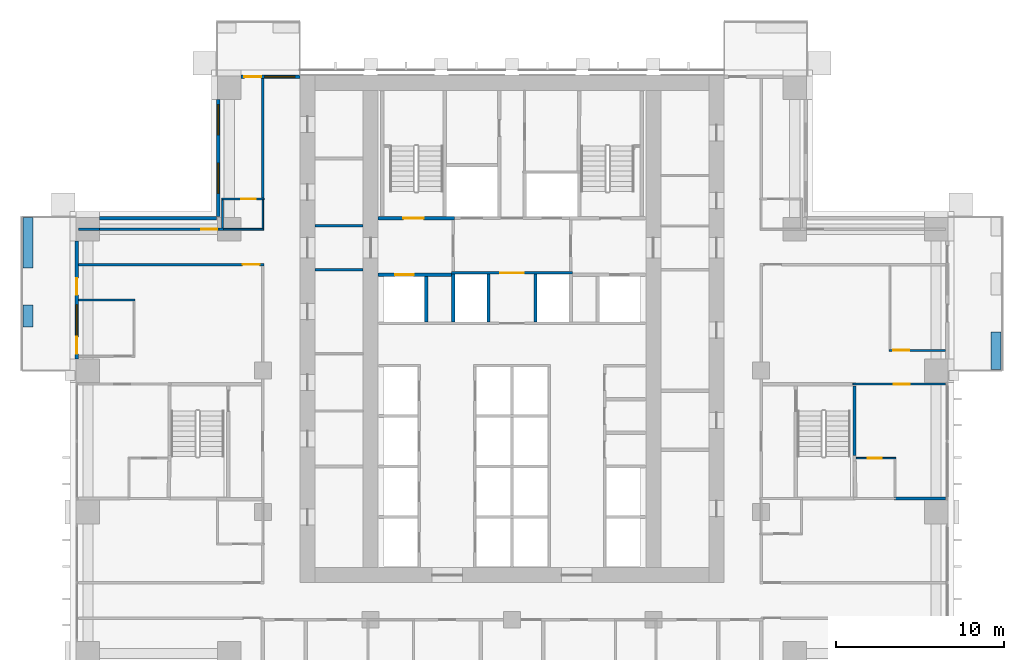
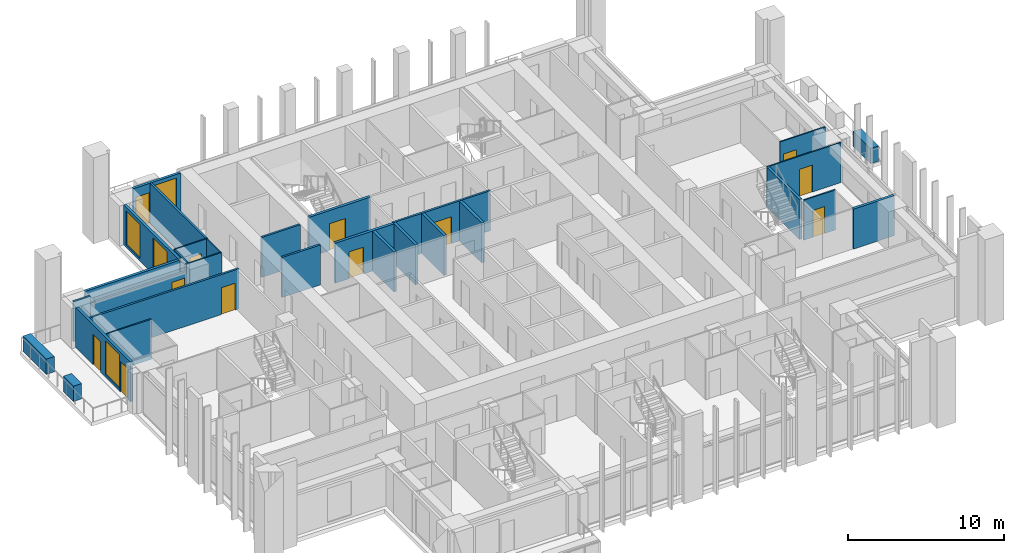
# One storey, part 10 of 17: 31 walls, 12 doors, 4 windows, 16 openings.
"""IFC4 building model written with IfcOpenShell, lengths in metres."""

from ifc_helpers import new_model, si_unit, direction, frame, frame_2d, origin, place, context, subcontext, project, spatial, rectangle, extrude, material, layer, layer_set, type_object, element, fill, save


model = new_model("IFC4")

# Units and contexts
model_context = context("Model", 3, precision=1e-05, world=origin(), true_north=direction((0.0, 1.0)))
body_context = subcontext(model_context, "Body", "Model", "MODEL_VIEW")
ifc_project = project(units=[si_unit("LENGTHUNIT", "METRE"), si_unit("AREAUNIT", "SQUARE_METRE"), si_unit("VOLUMEUNIT", "CUBIC_METRE"), si_unit("PLANEANGLEUNIT", "RADIAN"), si_unit("MASSUNIT", "GRAM", prefix="KILO")], contexts=[model_context])

# Site, building, storey
site_placement = place(None, origin())
site = spatial("IfcSite", under=ifc_project, at=site_placement, CompositionType="ELEMENT")
building_placement = place(site_placement, origin())
building = spatial("IfcBuilding", under=site, at=building_placement, Name="Vermilion Ogive Tower", CompositionType="ELEMENT")
storey_placement = place(building_placement, frame((0.0, 0.0, 69.0)))
storey = spatial("IfcBuildingStorey", under=building, at=storey_placement, Name="L16", CompositionType="ELEMENT", Elevation=69.0)

# Wall, opening, door
ifc_material_1 = material(Name="Gypsum board partition on steel studs", Category="steel")
ifc_layer_1 = layer(ifc_material_1, 0.10009765625)
ifc_layer_set_1 = layer_set([ifc_layer_1], Name="Partition 100 bath")
wall_type_1 = type_object("IfcWallType", Name="Partition 100 bath", PredefinedType="PARTITIONING", material=ifc_layer_set_1)
wall_1_placement = place(storey_placement, frame((20.449951171875, -1.0, 0.0), z_axis=(0.0, 0.0, 1.0), x_axis=(1.0, 0.0, 0.0)))
wall_1 = element("IfcWall", 1, at=wall_1_placement, inside=storey, type_object=wall_type_1, Name="L16-W-W034", PredefinedType="PARTITIONING", context=body_context, shape_type="SweptSolid", body=[
    extrude(rectangle(XDim=2.35009765625, YDim=0.10009765625, at=frame_2d((1.175048828125, 0.0))), origin(), (0.0, 0.0, 1.0), 3.1298828125),
])
opening_1_placement = place(wall_1_placement, frame((0.675048828125, 0.0, 0.0)))
opening_1 = element("IfcOpeningElement", 2, at=opening_1_placement, cuts=wall_1, Name="Opening D1G6022", PredefinedType="OPENING", context=body_context, shape_type="SweptSolid", body=[
    extrude(rectangle(XDim=0.85009765625, YDim=2.10009765625, at=frame_2d((0.425048828125, 1.050048828125))), frame((0.0, 0.06005859375, 0.0), z_axis=(0.0, -1.0, 0.0), x_axis=(1.0, 0.0, 0.0)), (0.0, 0.0, 1.0), 0.1201171875),
])
ifc_material_2 = material(Name="Timber door leaf", Category="wood")
door_type_1 = type_object("IfcDoorType", Name="Bath door 850 x 2100 FD30", OperationType="SINGLE_SWING_LEFT", PredefinedType="DOOR", material=ifc_material_2)
door_1_placement = place(opening_1_placement, origin())
door_1 = element("IfcDoor", 3, at=door_1_placement, inside=storey, type_object=door_type_1, Name="L16-D-D022", OperationType="SINGLE_SWING_RIGHT", OverallHeight=2.10009765625, OverallWidth=0.85009765625, PredefinedType="DOOR", context=body_context, shape_type="SweptSolid", body=[
    extrude(rectangle(XDim=0.85009765625, YDim=2.10009765625, at=frame_2d((0.425048828125, 1.050048828125))), frame((0.0, 0.02490234375, 0.0), z_axis=(0.0, -1.0, 0.0), x_axis=(1.0, 0.0, 0.0)), (0.0, 0.0, 1.0), 0.050048828125),
])
fill(opening_1, door_1)

# Wall
wall_2_placement = place(storey_placement, frame((-17.25, 12.60009765625, 0.0), z_axis=(0.0, 0.0, 1.0), x_axis=(1.0, 0.0, 0.0)))
element("IfcWall", 4, at=wall_2_placement, inside=storey, type_object=wall_type_1, Name="L16-W-W045", PredefinedType="PARTITIONING", context=body_context, shape_type="SweptSolid", body=[
    extrude(rectangle(XDim=2.5, YDim=0.10009765625, at=frame_2d((1.25, 0.0))), origin(), (0.0, 0.0, 1.0), 3.1298828125),
])

# Wall, opening, door
wall_3_placement = place(storey_placement, frame((-17.25, 14.39990234375, 0.0), z_axis=(0.0, 0.0, 1.0), x_axis=(1.0, 0.0, 0.0)))
wall_3 = element("IfcWall", 5, at=wall_3_placement, inside=storey, type_object=wall_type_1, Name="L16-W-W048", PredefinedType="PARTITIONING", context=body_context, shape_type="SweptSolid", body=[
    extrude(rectangle(XDim=2.52490234375, YDim=0.10009765625, at=frame_2d((1.262451171875, 0.0))), origin(), (0.0, 0.0, 1.0), 3.1298828125),
])
opening_2_placement = place(wall_3_placement, frame((1.175048828125, 0.0, 0.0)))
opening_2 = element("IfcOpeningElement", 6, at=opening_2_placement, cuts=wall_3, Name="Opening D1G6010", PredefinedType="OPENING", context=body_context, shape_type="SweptSolid", body=[
    extrude(rectangle(XDim=0.85009765625, YDim=2.10009765625, at=frame_2d((0.425048828125, 1.050048828125))), frame((0.0, 0.06005859375, 0.0), z_axis=(0.0, -1.0, 0.0), x_axis=(1.0, 0.0, 0.0)), (0.0, 0.0, 1.0), 0.1201171875),
])
door_2_placement = place(opening_2_placement, origin())
door_2 = element("IfcDoor", 7, at=door_2_placement, inside=storey, type_object=door_type_1, Name="L16-D-D010", OperationType="SINGLE_SWING_RIGHT", OverallHeight=2.10009765625, OverallWidth=0.85009765625, PredefinedType="DOOR", context=body_context, shape_type="SweptSolid", body=[
    extrude(rectangle(XDim=0.85009765625, YDim=2.10009765625, at=frame_2d((0.425048828125, 1.050048828125))), frame((0.0, 0.02490234375, 0.0), z_axis=(0.0, -1.0, 0.0), x_axis=(1.0, 0.0, 0.0)), (0.0, 0.0, 1.0), 0.050048828125),
])
fill(opening_2, door_2)

# Walls
wall_4_placement = place(storey_placement, frame((-17.199951171875, 12.675048828125, 0.0), z_axis=(0.0, 0.0, 1.0), x_axis=(0.0, 1.0, 0.0)))
element("IfcWall", 8, at=wall_4_placement, inside=storey, type_object=wall_type_1, Name="L16-W-W056", PredefinedType="PARTITIONING", context=body_context, shape_type="SweptSolid", body=[
    extrude(rectangle(XDim=1.675048828125, YDim=0.10009765625, at=frame_2d((0.83740234375, 0.0))), origin(), (0.0, 0.0, 1.0), 3.1298828125),
])
wall_5_placement = place(storey_placement, frame((-14.800048828125, 12.64990234375, 0.0), z_axis=(0.0, 0.0, 1.0), x_axis=(0.0, 1.0, 0.0)))
element("IfcWall", 9, at=wall_5_placement, inside=storey, type_object=wall_type_1, Name="L16-W-W063", PredefinedType="PARTITIONING", context=body_context, shape_type="SweptSolid", body=[
    extrude(rectangle(XDim=1.7001953125, YDim=0.10009765625, at=frame_2d((0.85009765625, 0.0))), origin(), (0.0, 0.0, 1.0), 3.1298828125),
])

# Wall, opening, door
ifc_material_3 = material(Name="Gypsum board partition on steel studs", Category="steel")
ifc_layer_2 = layer(ifc_material_3, 0.10009765625)
ifc_layer_set_2 = layer_set([ifc_layer_2], Name="Partition 100 inner")
wall_type_2 = type_object("IfcWallType", Name="Partition 100 inner", PredefinedType="PARTITIONING", material=ifc_layer_set_2)
wall_6_placement = place(storey_placement, frame((20.25, 3.39990234375, 0.0), z_axis=(0.0, 0.0, 1.0), x_axis=(1.0, 0.0, 0.0)))
wall_6 = element("IfcWall", 10, at=wall_6_placement, inside=storey, type_object=wall_type_2, Name="L16-W-W038", PredefinedType="PARTITIONING", context=body_context, shape_type="SweptSolid", body=[
    extrude(rectangle(XDim=5.5, YDim=0.10009765625, at=frame_2d((2.75, 0.0))), origin(), (0.0, 0.0, 1.0), 3.1298828125),
])
opening_3_placement = place(wall_6_placement, frame((2.425048828125, 0.0, 0.0)))
opening_3 = element("IfcOpeningElement", 11, at=opening_3_placement, cuts=wall_6, Name="Opening D1G6021", PredefinedType="OPENING", context=body_context, shape_type="SweptSolid", body=[
    extrude(rectangle(XDim=0.949951171875, YDim=2.10009765625, at=frame_2d((0.47509765625, 1.050048828125))), frame((0.0, 0.06005859375, 0.0), z_axis=(0.0, -1.0, 0.0), x_axis=(1.0, 0.0, 0.0)), (0.0, 0.0, 1.0), 0.1201171875),
])
ifc_material_4 = material(Name="Timber door leaf", Category="wood")
door_type_2 = type_object("IfcDoorType", Name="Inner door 950 x 2100 FD30", OperationType="SINGLE_SWING_LEFT", PredefinedType="DOOR", material=ifc_material_4)
door_3_placement = place(opening_3_placement, origin())
door_3 = element("IfcDoor", 12, at=door_3_placement, inside=storey, type_object=door_type_2, Name="L16-D-D021", OperationType="SINGLE_SWING_LEFT", OverallHeight=2.10009765625, OverallWidth=0.949951171875, PredefinedType="DOOR", context=body_context, shape_type="SweptSolid", body=[
    extrude(rectangle(XDim=0.949951171875, YDim=2.10009765625, at=frame_2d((0.47509765625, 1.050048828125))), frame((0.0, 0.02490234375, 0.0), z_axis=(0.0, -1.0, 0.0), x_axis=(1.0, 0.0, 0.0)), (0.0, 0.0, 1.0), 0.050048828125),
])
fill(opening_3, door_3)

wall_7_placement = place(storey_placement, frame((22.39990234375, 5.39990234375, 0.0), z_axis=(0.0, 0.0, 1.0), x_axis=(1.0, 0.0, 0.0)))
wall_7 = element("IfcWall", 13, at=wall_7_placement, inside=storey, type_object=wall_type_2, Name="L16-W-W040", PredefinedType="PARTITIONING", context=body_context, shape_type="SweptSolid", body=[
    extrude(rectangle(XDim=3.35009765625, YDim=0.10009765625, at=frame_2d((1.675048828125, 0.0))), origin(), (0.0, 0.0, 1.0), 3.1298828125),
])
opening_4_placement = place(wall_7_placement, frame((0.25, 0.0, 0.0)))
opening_4 = element("IfcOpeningElement", 14, at=opening_4_placement, cuts=wall_7, Name="Opening D1G6019", PredefinedType="OPENING", context=body_context, shape_type="SweptSolid", body=[
    extrude(rectangle(XDim=0.949951171875, YDim=2.10009765625, at=frame_2d((0.47509765625, 1.050048828125))), frame((0.0, 0.06005859375, 0.0), z_axis=(0.0, -1.0, 0.0), x_axis=(1.0, 0.0, 0.0)), (0.0, 0.0, 1.0), 0.1201171875),
])
door_4_placement = place(opening_4_placement, origin())
door_4 = element("IfcDoor", 15, at=door_4_placement, inside=storey, type_object=door_type_2, Name="L16-D-D019", OperationType="SINGLE_SWING_LEFT", OverallHeight=2.10009765625, OverallWidth=0.949951171875, PredefinedType="DOOR", context=body_context, shape_type="SweptSolid", body=[
    extrude(rectangle(XDim=0.949951171875, YDim=2.10009765625, at=frame_2d((0.47509765625, 1.050048828125))), frame((0.0, 0.02490234375, 0.0), z_axis=(0.0, -1.0, 0.0), x_axis=(1.0, 0.0, 0.0)), (0.0, 0.0, 1.0), 0.050048828125),
])
fill(opening_4, door_4)

# Wall
wall_8_placement = place(storey_placement, frame((-25.75, 8.39990234375, 0.0), z_axis=(0.0, 0.0, 1.0), x_axis=(1.0, 0.0, 0.0)))
element("IfcWall", 16, at=wall_8_placement, inside=storey, type_object=wall_type_2, Name="L16-W-W041", PredefinedType="PARTITIONING", context=body_context, shape_type="SweptSolid", body=[
    extrude(rectangle(XDim=3.35009765625, YDim=0.10009765625, at=frame_2d((1.675048828125, 0.0))), origin(), (0.0, 0.0, 1.0), 3.1298828125),
])

# Wall, opening, door
ifc_material_5 = material(Name="Gypsum board partition on steel studs", Category="steel")
ifc_layer_3 = layer(ifc_material_5, 0.14990234375)
ifc_layer_set_3 = layer_set([ifc_layer_3], Name="Partition 150 corridor")
wall_type_3 = type_object("IfcWallType", Name="Partition 150 corridor", PredefinedType="PARTITIONING", material=ifc_layer_set_3)
wall_9_placement = place(storey_placement, frame((-25.75, 10.5, 0.0), z_axis=(0.0, 0.0, 1.0), x_axis=(1.0, 0.0, 0.0)))
wall_9 = element("IfcWall", 17, at=wall_9_placement, inside=storey, type_object=wall_type_3, Name="L16-W-W042", PredefinedType="PARTITIONING", context=body_context, shape_type="SweptSolid", body=[
    extrude(rectangle(XDim=11.02490234375, YDim=0.14990234375, at=frame_2d((5.512451171875, 0.0))), origin(), (0.0, 0.0, 1.0), 3.1298828125),
])
opening_5_placement = place(wall_9_placement, frame((9.75, 0.0, 0.0)))
opening_5 = element("IfcOpeningElement", 18, at=opening_5_placement, cuts=wall_9, Name="Opening D1G6006", PredefinedType="OPENING", context=body_context, shape_type="SweptSolid", body=[
    extrude(rectangle(XDim=1.0, YDim=2.10009765625, at=frame_2d((0.5, 1.050048828125))), frame((0.0, 0.0849609375, 0.0), z_axis=(0.0, -1.0, 0.0), x_axis=(1.0, 0.0, 0.0)), (0.0, 0.0, 1.0), 0.169921875),
])
ifc_material_6 = material(Name="Timber door leaf", Category="wood")
door_type_3 = type_object("IfcDoorType", Name="Unit door 1000 x 2100 FD30S", OperationType="SINGLE_SWING_LEFT", PredefinedType="DOOR", material=ifc_material_6)
door_5_placement = place(opening_5_placement, origin())
door_5 = element("IfcDoor", 19, at=door_5_placement, inside=storey, type_object=door_type_3, Name="L16-D-D006", OperationType="SINGLE_SWING_RIGHT", OverallHeight=2.10009765625, OverallWidth=1.0, PredefinedType="DOOR", context=body_context, shape_type="SweptSolid", body=[
    extrude(rectangle(XDim=1.0, YDim=2.10009765625, at=frame_2d((0.5, 1.050048828125))), frame((0.0, 0.02490234375, 0.0), z_axis=(0.0, -1.0, 0.0), x_axis=(1.0, 0.0, 0.0)), (0.0, 0.0, 1.0), 0.050048828125),
])
fill(opening_5, door_5)

# Walls
wall_10_placement = place(storey_placement, frame((-25.75, 12.60009765625, 0.0), z_axis=(0.0, 0.0, 1.0), x_axis=(1.0, 0.0, 0.0)))
element("IfcWall", 20, at=wall_10_placement, inside=storey, type_object=wall_type_3, Name="L16-W-W044", PredefinedType="PARTITIONING", context=body_context, shape_type="SweptSolid", body=[
    extrude(rectangle(XDim=1.25, YDim=0.14990234375, at=frame_2d((0.625, 0.0))), origin(), (0.0, 0.0, 1.0), 3.1298828125),
])
wall_11_placement = place(storey_placement, frame((-14.800048828125, 14.449951171875, 0.0), z_axis=(0.0, 0.0, 1.0), x_axis=(0.0, 1.0, 0.0)))
element("IfcWall", 21, at=wall_11_placement, inside=storey, type_object=wall_type_3, Name="L16-W-W064", PredefinedType="PARTITIONING", context=body_context, shape_type="SweptSolid", body=[
    extrude(rectangle(XDim=7.10009765625, YDim=0.14990234375, at=frame_2d((3.550048828125, 0.0))), origin(), (0.0, 0.0, 1.0), 3.1298828125),
])

# Wall, opening, door
wall_12_placement = place(storey_placement, frame((-3.60009765625, 10.0, 0.0), z_axis=(0.0, 0.0, 1.0), x_axis=(1.0, 0.0, 0.0)))
wall_12 = element("IfcWall", 22, at=wall_12_placement, inside=storey, type_object=wall_type_3, Name="L16-CK-W-W017", PredefinedType="PARTITIONING", context=body_context, shape_type="SweptSolid", body=[
    extrude(rectangle(XDim=7.2001953125, YDim=0.14990234375, at=frame_2d((3.60009765625, 0.0))), origin(), (0.0, 0.0, 1.0), 3.1298828125),
])
opening_6_placement = place(wall_12_placement, frame((2.900146484375, 0.0, 0.0)))
opening_6 = element("IfcOpeningElement", 23, at=opening_6_placement, cuts=wall_12, Name="Opening DAA117", PredefinedType="OPENING", context=body_context, shape_type="SweptSolid", body=[
    extrude(rectangle(XDim=1.39990234375, YDim=2.10009765625, at=frame_2d((0.699951171875, 1.050048828125))), frame((0.0, 0.0849609375, 0.0), z_axis=(0.0, -1.0, 0.0), x_axis=(1.0, 0.0, 0.0)), (0.0, 0.0, 1.0), 0.169921875),
])
ifc_material_7 = material(Name="Timber door leaf", Category="wood")
door_type_4 = type_object("IfcDoorType", Name="Lobby door 1400 x 2100 FD60S", OperationType="SINGLE_SWING_LEFT", PredefinedType="DOOR", material=ifc_material_7)
door_6_placement = place(opening_6_placement, origin())
door_6 = element("IfcDoor", 24, at=door_6_placement, inside=storey, type_object=door_type_4, Name="L16-CK-D-D017", OperationType="SINGLE_SWING_RIGHT", OverallHeight=2.10009765625, OverallWidth=1.39990234375, PredefinedType="DOOR", context=body_context, shape_type="SweptSolid", body=[
    extrude(rectangle(XDim=1.39990234375, YDim=2.10009765625, at=frame_2d((0.699951171875, 1.050048828125))), frame((0.0, 0.02490234375, 0.0), z_axis=(0.0, -1.0, 0.0), x_axis=(1.0, 0.0, 0.0)), (0.0, 0.0, 1.0), 0.050048828125),
])
fill(opening_6, door_6)

# Walls
for number, where, z_axis, x_axis, name in (
    (25, (-11.698974609375, 10.199951171875, 0.0), (0.0, 0.0, 1.0), (1.0, 0.0, 0.0), "L16-CKW-W-W004"),
    (26, (-11.698974609375, 12.800048828125, 0.0), (0.0, 0.0, 1.0), (1.0, 0.0, 0.0), "L16-CKW-W-W005"),
):
    element("IfcWall", number, at=place(storey_placement, frame(where, z_axis=z_axis, x_axis=x_axis)), inside=storey, type_object=wall_type_3, Name=name, PredefinedType="PARTITIONING", context=body_context, shape_type="SweptSolid", body=[
        extrude(rectangle(XDim=2.847900390625, YDim=0.14990234375, at=frame_2d((1.423828125, 0.0))), origin(), (0.0, 0.0, 1.0), 3.1298828125),
    ])

# Wall, opening, door
wall_13_placement = place(storey_placement, frame((-24.5, 12.60009765625, 0.0), z_axis=(0.0, 0.0, 1.0), x_axis=(1.0, 0.0, 0.0)))
wall_13 = element("IfcWall", 27, at=wall_13_placement, inside=storey, type_object=wall_type_3, Name="L16-W-W044-h1", PredefinedType="PARTITIONING", context=body_context, shape_type="SweptSolid", body=[
    extrude(rectangle(XDim=7.099853515625, YDim=0.14990234375, at=frame_2d((3.5498046875, 0.0))), origin(), (0.0, 0.0, 1.0), 2.580078125),
])
opening_7_placement = place(wall_13_placement, frame((6.0498046875, 0.0, 0.0)))
opening_7 = element("IfcOpeningElement", 28, at=opening_7_placement, cuts=wall_13, Name="Opening D1G6009", PredefinedType="OPENING", context=body_context, shape_type="SweptSolid", body=[
    extrude(rectangle(XDim=0.949951171875, YDim=2.10009765625, at=frame_2d((0.47509765625, 1.050048828125))), frame((0.0, 0.0849609375, 0.0), z_axis=(0.0, -1.0, 0.0), x_axis=(1.0, 0.0, 0.0)), (0.0, 0.0, 1.0), 0.169921875),
])
ifc_material_8 = material(Name="Timber door leaf", Category="wood")
door_type_5 = type_object("IfcDoorType", Name="Unit door 950 x 2100 FD30S", OperationType="SINGLE_SWING_LEFT", PredefinedType="DOOR", material=ifc_material_8)
door_7_placement = place(opening_7_placement, origin())
door_7 = element("IfcDoor", 29, at=door_7_placement, inside=storey, type_object=door_type_5, Name="L16-D-D009", OperationType="SINGLE_SWING_LEFT", OverallHeight=2.10009765625, OverallWidth=0.949951171875, PredefinedType="DOOR", context=body_context, shape_type="SweptSolid", body=[
    extrude(rectangle(XDim=0.949951171875, YDim=2.10009765625, at=frame_2d((0.47509765625, 1.050048828125))), frame((0.0, 0.02490234375, 0.0), z_axis=(0.0, -1.0, 0.0), x_axis=(1.0, 0.0, 0.0)), (0.0, 0.0, 1.0), 0.050048828125),
])
fill(opening_7, door_7)

# Walls
wall_14_placement = place(storey_placement, frame((-17.400146484375, 12.60009765625, 0.0), z_axis=(0.0, 0.0, 1.0), x_axis=(1.0, 0.0, 0.0)))
element("IfcWall", 30, at=wall_14_placement, inside=storey, type_object=wall_type_3, Name="L16-W-W044-h2", PredefinedType="PARTITIONING", context=body_context, shape_type="SweptSolid", body=[
    extrude(rectangle(XDim=0.250244140625, YDim=0.14990234375, at=frame_2d((0.125, 0.0))), origin(), (0.0, 0.0, 1.0), 3.1298828125),
])
ifc_material_9 = material(Name="Gypsum board partition on steel studs", Category="steel")
ifc_layer_4 = layer(ifc_material_9, 0.199951171875)
ifc_layer_set_4 = layer_set([ifc_layer_4], Name="Partition 200 party")
wall_type_4 = type_object("IfcWallType", Name="Partition 200 party", PredefinedType="PARTITIONING", material=ifc_layer_set_4)
wall_15_placement = place(storey_placement, frame((22.699951171875, -3.39990234375, 0.0), z_axis=(0.0, 0.0, 1.0), x_axis=(1.0, 0.0, 0.0)))
element("IfcWall", 31, at=wall_15_placement, inside=storey, type_object=wall_type_4, Name="L16-W-W032", PredefinedType="PARTITIONING", context=body_context, shape_type="SweptSolid", body=[
    extrude(rectangle(XDim=3.050048828125, YDim=0.199951171875, at=frame_2d((1.52490234375, 0.0))), origin(), (0.0, 0.0, 1.0), 3.1298828125),
])

# Wall, opening, door
wall_16_placement = place(storey_placement, frame((-7.948974609375, 9.89990234375, 0.0), z_axis=(0.0, 0.0, 1.0), x_axis=(1.0, 0.0, 0.0)))
wall_16 = element("IfcWall", 32, at=wall_16_placement, inside=storey, type_object=wall_type_4, Name="L16-CK-W-W015", PredefinedType="PARTITIONING", context=body_context, shape_type="SweptSolid", body=[
    extrude(rectangle(XDim=4.348876953125, YDim=0.199951171875, at=frame_2d((2.17431640625, 0.0))), origin(), (0.0, 0.0, 1.0), 3.1298828125),
])
opening_8_placement = place(wall_16_placement, frame((0.9990234375, 0.0, 0.0)))
opening_8 = element("IfcOpeningElement", 33, at=opening_8_placement, cuts=wall_16, Name="Opening DAA136", PredefinedType="OPENING", context=body_context, shape_type="SweptSolid", body=[
    extrude(rectangle(XDim=1.10009765625, YDim=2.10009765625, at=frame_2d((0.550048828125, 1.050048828125))), frame((0.0, 0.10986328125, 0.0), z_axis=(0.0, -1.0, 0.0), x_axis=(1.0, 0.0, 0.0)), (0.0, 0.0, 1.0), 0.219970703125),
])
ifc_material_10 = material(Name="Stainless steel", Category="steel")
door_type_6 = type_object("IfcDoorType", Name="Lift landing door 1100 x 2100", OperationType="SLIDING_TO_LEFT", PredefinedType="DOOR", material=ifc_material_10)
door_8_placement = place(opening_8_placement, origin())
door_8 = element("IfcDoor", 34, at=door_8_placement, inside=storey, type_object=door_type_6, Name="L16-CK-D-D013", OperationType="SLIDING_TO_RIGHT", OverallHeight=2.10009765625, OverallWidth=1.10009765625, PredefinedType="DOOR", context=body_context, shape_type="SweptSolid", body=[
    extrude(rectangle(XDim=1.10009765625, YDim=2.10009765625, at=frame_2d((0.550048828125, 1.050048828125))), frame((0.0, 0.02490234375, 0.0), z_axis=(0.0, -1.0, 0.0), x_axis=(1.0, 0.0, 0.0)), (0.0, 0.0, 1.0), 0.050048828125),
])
fill(opening_8, door_8)

# Walls
wall_17_placement = place(storey_placement, frame((-5.10009765625, 7.074951171875, 0.0), z_axis=(0.0, 0.0, 1.0), x_axis=(0.0, 1.0, 0.0)))
element("IfcWall", 35, at=wall_17_placement, inside=storey, type_object=wall_type_4, Name="L16-CK-W-W024", PredefinedType="PARTITIONING", context=body_context, shape_type="SweptSolid", body=[
    extrude(rectangle(XDim=2.72509765625, YDim=0.199951171875, at=frame_2d((1.362548828125, 0.0))), origin(), (0.0, 0.0, 1.0), 3.1298828125),
])
for number, where, z_axis, x_axis, name in (
    (36, (-3.5, 7.074951171875, 0.0), (0.0, 0.0, 1.0), (0.0, 1.0, 0.0), "L16-CK-W-W026"),
    (37, (-1.39990234375, 7.074951171875, 0.0), (0.0, 0.0, 1.0), (0.0, 1.0, 0.0), "L16-CK-W-W029"),
    (38, (1.39990234375, 7.074951171875, 0.0), (0.0, 0.0, 1.0), (0.0, 1.0, 0.0), "L16-CK-W-W034"),
):
    element("IfcWall", number, at=place(storey_placement, frame(where, z_axis=z_axis, x_axis=x_axis)), inside=storey, type_object=wall_type_4, Name=name, PredefinedType="PARTITIONING", context=body_context, shape_type="SweptSolid", body=[
        extrude(rectangle(XDim=2.85009765625, YDim=0.199951171875, at=frame_2d((1.425048828125, 0.0))), origin(), (0.0, 0.0, 1.0), 3.1298828125),
    ])
ifc_material_11 = material(Name="Concrete B60", Category="concrete")
ifc_layer_5 = layer(ifc_material_11, 0.199951171875)
ifc_layer_set_5 = layer_set([ifc_layer_5], Name="Stair shaft wall 200 Concrete B60")
wall_type_5 = type_object("IfcWallType", Name="Stair shaft wall 200 Concrete B60", PredefinedType="SOLIDWALL", material=ifc_layer_set_5)
wall_18_placement = place(storey_placement, frame((20.35009765625, -0.830078125, 0.0), z_axis=(0.0, 0.0, 1.0), x_axis=(0.0, 1.0, 0.0)))
element("IfcWall", 39, at=wall_18_placement, inside=storey, type_object=wall_type_5, Name="L16-W-W093", PredefinedType="SOLIDWALL", context=body_context, shape_type="SweptSolid", body=[
    extrude(rectangle(XDim=4.130126953125, YDim=0.199951171875, at=frame_2d((2.06494140625, 0.0))), origin(), (0.0, 0.0, 1.0), 3.1298828125),
])

# Wall, opening, door
wall_19_placement = place(storey_placement, frame((-7.948974609375, 13.25, 0.0), z_axis=(0.0, 0.0, 1.0), x_axis=(1.0, 0.0, 0.0)))
wall_19 = element("IfcWall", 40, at=wall_19_placement, inside=storey, type_object=wall_type_5, Name="L16-CK-W-W018", PredefinedType="SOLIDWALL", context=body_context, shape_type="SweptSolid", body=[
    extrude(rectangle(XDim=4.52392578125, YDim=0.199951171875, at=frame_2d((2.261962890625, 0.0))), origin(), (0.0, 0.0, 1.0), 3.1298828125),
])
opening_9_placement = place(wall_19_placement, frame((1.4990234375, 0.0, 0.0)))
opening_9 = element("IfcOpeningElement", 41, at=opening_9_placement, cuts=wall_19, Name="Opening DAA124", PredefinedType="OPENING", context=body_context, shape_type="SweptSolid", body=[
    extrude(rectangle(XDim=1.199951171875, YDim=2.10009765625, at=frame_2d((0.60009765625, 1.050048828125))), frame((0.0, 0.10986328125, 0.0), z_axis=(0.0, -1.0, 0.0), x_axis=(1.0, 0.0, 0.0)), (0.0, 0.0, 1.0), 0.219970703125),
])
ifc_material_12 = material(Name="Timber door leaf", Category="wood")
door_type_7 = type_object("IfcDoorType", Name="Stair door 1200 x 2100 FD60S", OperationType="SINGLE_SWING_LEFT", PredefinedType="DOOR", material=ifc_material_12)
door_9_placement = place(opening_9_placement, origin())
door_9 = element("IfcDoor", 42, at=door_9_placement, inside=storey, type_object=door_type_7, Name="L16-CK-D-D012", OperationType="SINGLE_SWING_LEFT", OverallHeight=2.10009765625, OverallWidth=1.199951171875, PredefinedType="DOOR", context=body_context, shape_type="SweptSolid", body=[
    extrude(rectangle(XDim=1.199951171875, YDim=2.10009765625, at=frame_2d((0.60009765625, 1.050048828125))), frame((0.0, 0.02490234375, 0.0), z_axis=(0.0, -1.0, 0.0), x_axis=(1.0, 0.0, 0.0)), (0.0, 0.0, 1.0), 0.050048828125),
])
fill(opening_9, door_9)

# Walls
ifc_material_13 = material(Name="Concrete B40", Category="concrete")
ifc_layer_6 = layer(ifc_material_13, 0.60009765625)
ifc_layer_set_6 = layer_set([ifc_layer_6], Name="Structural planter")
wall_type_6 = type_object("IfcWallType", Name="Structural planter", PredefinedType="USERDEFINED", material=ifc_layer_set_6)
wall_20_placement = place(storey_placement, frame((28.75, 4.260009765625, -0.0400390625), z_axis=(0.0, 0.0, 1.0), x_axis=(0.0, 1.0, 0.0)))
element("IfcWall", 43, at=wall_20_placement, inside=storey, type_object=wall_type_6, Name="Planter E03A1", ObjectType="PLANTER", PredefinedType="USERDEFINED", context=body_context, shape_type="SweptSolid", body=[
    extrude(rectangle(XDim=2.239990234375, YDim=0.60009765625, at=frame_2d((1.1201171875, 0.0))), origin(), (0.0, 0.0, 1.0), 1.199951171875),
])
wall_21_placement = place(storey_placement, frame((-28.75, 13.2900390625, -0.0400390625), z_axis=(0.0, 0.0, 1.0), x_axis=(0.0, -1.0, 0.0)))
element("IfcWall", 44, at=wall_21_placement, inside=storey, type_object=wall_type_6, Name="Planter W01A1", ObjectType="PLANTER", PredefinedType="USERDEFINED", context=body_context, shape_type="SweptSolid", body=[
    extrude(rectangle(XDim=2.989990234375, YDim=0.60009765625, at=frame_2d((1.4951171875, 0.0))), origin(), (0.0, 0.0, 1.0), 1.199951171875),
])
wall_22_placement = place(storey_placement, frame((-28.75, 8.10009765625, -0.0400390625), z_axis=(0.0, 0.0, 1.0), x_axis=(0.0, -1.0, 0.0)))
element("IfcWall", 45, at=wall_22_placement, inside=storey, type_object=wall_type_6, Name="Planter W01A2", ObjectType="PLANTER", PredefinedType="USERDEFINED", context=body_context, shape_type="SweptSolid", body=[
    extrude(rectangle(XDim=1.300048828125, YDim=0.60009765625, at=frame_2d((0.64990234375, 0.0))), origin(), (0.0, 0.0, 1.0), 1.199951171875),
])

# Wall, openings, door, window
ifc_material_14 = material(Name="Aluminium window wall framing", Category="aluminium")
ifc_layer_7 = layer(ifc_material_14, 0.199951171875)
ifc_layer_set_7 = layer_set([ifc_layer_7], Name="Window wall")
wall_type_7 = type_object("IfcWallType", Name="Window wall", PredefinedType="STANDARD", material=ifc_layer_set_7)
wall_23_placement = place(storey_placement, frame((-12.60009765625, 21.64990234375, 0.0), z_axis=(0.0, 0.0, 1.0), x_axis=(-1.0, 0.0, 0.0)))
wall_23 = element("IfcWall", 46, at=wall_23_placement, inside=storey, type_object=wall_type_7, Name="Window wall N21", PredefinedType="STANDARD", context=body_context, shape_type="SweptSolid", body=[
    extrude(rectangle(XDim=3.5, YDim=0.199951171875, at=frame_2d((1.75, 0.0))), origin(), (0.0, 0.0, 1.0), 3.1298828125),
])
opening_10_placement = place(wall_23_placement, frame((0.300048828125, 0.0, 0.199951171875)))
opening_10 = element("IfcOpeningElement", 47, at=opening_10_placement, cuts=wall_23, Name="Opening W1-N296", PredefinedType="OPENING", context=body_context, shape_type="SweptSolid", body=[
    extrude(rectangle(XDim=1.800048828125, YDim=2.64990234375, at=frame_2d((0.89990234375, 1.324951171875))), frame((0.0, 0.10986328125, 0.0), z_axis=(0.0, -1.0, 0.0), x_axis=(1.0, 0.0, 0.0)), (0.0, 0.0, 1.0), 0.219970703125),
])
opening_11_placement = place(wall_23_placement, frame((2.300048828125, 0.0, 0.0)))
opening_11 = element("IfcOpeningElement", 48, at=opening_11_placement, cuts=wall_23, Name="Opening D1-N296", PredefinedType="OPENING", context=body_context, shape_type="SweptSolid", body=[
    extrude(rectangle(XDim=1.0, YDim=2.39990234375, at=frame_2d((0.5, 1.199951171875))), frame((0.0, 0.10986328125, 0.0), z_axis=(0.0, -1.0, 0.0), x_axis=(1.0, 0.0, 0.0)), (0.0, 0.0, 1.0), 0.219970703125),
])
ifc_material_15 = material(Name="Aluminium framed glazed door", Category="aluminium")
door_type_8 = type_object("IfcDoorType", Name="Balcony door D1", OperationType="SINGLE_SWING_LEFT", PredefinedType="DOOR", material=ifc_material_15)
door_10_placement = place(opening_11_placement, origin())
door_10 = element("IfcDoor", 49, at=door_10_placement, inside=storey, type_object=door_type_8, Name="Balcony door N296", OperationType="SINGLE_SWING_LEFT", OverallHeight=2.39990234375, OverallWidth=1.0, PredefinedType="DOOR", context=body_context, shape_type="SweptSolid", body=[
    extrude(rectangle(XDim=1.0, YDim=2.39990234375, at=frame_2d((0.5, 1.199951171875))), frame((0.0, 0.02490234375, 0.0), z_axis=(0.0, -1.0, 0.0), x_axis=(1.0, 0.0, 0.0)), (0.0, 0.0, 1.0), 0.050048828125),
])
fill(opening_11, door_10)
ifc_material_16 = material(Name="Aluminium framed double glazing", Category="aluminium")
window_type = type_object("IfcWindowType", Name="Guest window W1", PartitioningType="SINGLE_PANEL", PredefinedType="WINDOW", material=ifc_material_16)
window_1_placement = place(opening_10_placement, origin())
window_1 = element("IfcWindow", 50, at=window_1_placement, inside=storey, type_object=window_type, Name="Window N296", OverallHeight=2.64990234375, OverallWidth=1.800048828125, PartitioningType="SINGLE_PANEL", PredefinedType="WINDOW", context=body_context, shape_type="SweptSolid", body=[
    extrude(rectangle(XDim=1.800048828125, YDim=2.64990234375, at=frame_2d((0.89990234375, 1.324951171875))), frame((0.0, 0.030029296875, 0.0), z_axis=(0.0, -1.0, 0.0), x_axis=(1.0, 0.0, 0.0)), (0.0, 0.0, 1.0), 0.06005859375),
])
fill(opening_10, window_1)

# Wall, openings, windows
wall_24_placement = place(storey_placement, frame((-17.449951171875, 20.300048828125, 0.0), z_axis=(0.0, 0.0, 1.0), x_axis=(0.0, -1.0, 0.0)))
wall_24 = element("IfcWall", 51, at=wall_24_placement, inside=storey, type_object=wall_type_7, Name="Window wall X51", PredefinedType="STANDARD", context=body_context, shape_type="SweptSolid", body=[
    extrude(rectangle(XDim=6.949951171875, YDim=0.199951171875, at=frame_2d((3.47509765625, 0.0))), origin(), (0.0, 0.0, 1.0), 3.1298828125),
])
opening_12_placement = place(wall_24_placement, frame((3.77490234375, 0.0, 0.199951171875)))
opening_12 = element("IfcOpeningElement", 52, at=opening_12_placement, cuts=wall_24, Name="Opening W1-X503", PredefinedType="OPENING", context=body_context, shape_type="SweptSolid", body=[
    extrude(rectangle(XDim=1.800048828125, YDim=2.64990234375, at=frame_2d((0.89990234375, 1.324951171875))), frame((0.0, 0.10986328125, 0.0), z_axis=(0.0, -1.0, 0.0), x_axis=(1.0, 0.0, 0.0)), (0.0, 0.0, 1.0), 0.219970703125),
])
opening_13_placement = place(wall_24_placement, frame((0.300048828125, 0.0, 0.199951171875)))
opening_13 = element("IfcOpeningElement", 53, at=opening_13_placement, cuts=wall_24, Name="Opening W1-X504", PredefinedType="OPENING", context=body_context, shape_type="SweptSolid", body=[
    extrude(rectangle(XDim=1.800048828125, YDim=2.64990234375, at=frame_2d((0.89990234375, 1.324951171875))), frame((0.0, 0.10986328125, 0.0), z_axis=(0.0, -1.0, 0.0), x_axis=(1.0, 0.0, 0.0)), (0.0, 0.0, 1.0), 0.219970703125),
])
window_2_placement = place(opening_12_placement, origin())
window_2 = element("IfcWindow", 54, at=window_2_placement, inside=storey, type_object=window_type, Name="Window X503", OverallHeight=2.64990234375, OverallWidth=1.800048828125, PartitioningType="SINGLE_PANEL", PredefinedType="WINDOW", context=body_context, shape_type="SweptSolid", body=[
    extrude(rectangle(XDim=1.800048828125, YDim=2.64990234375, at=frame_2d((0.89990234375, 1.324951171875))), frame((0.0, 0.030029296875, 0.0), z_axis=(0.0, -1.0, 0.0), x_axis=(1.0, 0.0, 0.0)), (0.0, 0.0, 1.0), 0.06005859375),
])
fill(opening_12, window_2)
window_3_placement = place(opening_13_placement, origin())
window_3 = element("IfcWindow", 55, at=window_3_placement, inside=storey, type_object=window_type, Name="Window X504", OverallHeight=2.64990234375, OverallWidth=1.800048828125, PartitioningType="SINGLE_PANEL", PredefinedType="WINDOW", context=body_context, shape_type="SweptSolid", body=[
    extrude(rectangle(XDim=1.800048828125, YDim=2.64990234375, at=frame_2d((0.89990234375, 1.324951171875))), frame((0.0, 0.030029296875, 0.0), z_axis=(0.0, -1.0, 0.0), x_axis=(1.0, 0.0, 0.0)), (0.0, 0.0, 1.0), 0.06005859375),
])
fill(opening_13, window_3)

# Wall
wall_25_placement = place(storey_placement, frame((-17.550048828125, 13.25, 0.0), z_axis=(0.0, 0.0, 1.0), x_axis=(-1.0, 0.0, 0.0)))
element("IfcWall", 56, at=wall_25_placement, inside=storey, type_object=wall_type_7, Name="Window wall X61", PredefinedType="STANDARD", context=body_context, shape_type="SweptSolid", body=[
    extrude(rectangle(XDim=6.949951171875, YDim=0.199951171875, at=frame_2d((3.47509765625, 0.0))), origin(), (0.0, 0.0, 1.0), 3.1298828125),
])

# Wall, openings, doors, window
wall_26_placement = place(storey_placement, frame((-25.85009765625, 11.89990234375, 0.0), z_axis=(0.0, 0.0, 1.0), x_axis=(0.0, -1.0, 0.0)))
wall_26 = element("IfcWall", 57, at=wall_26_placement, inside=storey, type_object=wall_type_7, Name="Window wall W1", PredefinedType="STANDARD", context=body_context, shape_type="SweptSolid", body=[
    extrude(rectangle(XDim=7.0, YDim=0.199951171875, at=frame_2d((3.5, 0.0))), origin(), (0.0, 0.0, 1.0), 3.1298828125),
])
opening_14_placement = place(wall_26_placement, frame((3.800048828125, 0.0, 0.199951171875)))
opening_14 = element("IfcOpeningElement", 58, at=opening_14_placement, cuts=wall_26, Name="Opening W1-W01", PredefinedType="OPENING", context=body_context, shape_type="SweptSolid", body=[
    extrude(rectangle(XDim=1.800048828125, YDim=2.64990234375, at=frame_2d((0.89990234375, 1.324951171875))), frame((0.0, 0.10986328125, 0.0), z_axis=(0.0, -1.0, 0.0), x_axis=(1.0, 0.0, 0.0)), (0.0, 0.0, 1.0), 0.219970703125),
])
opening_15_placement = place(wall_26_placement, frame((5.699951171875, 0.0, 0.0)))
opening_15 = element("IfcOpeningElement", 59, at=opening_15_placement, cuts=wall_26, Name="Opening D1-W01", PredefinedType="OPENING", context=body_context, shape_type="SweptSolid", body=[
    extrude(rectangle(XDim=1.0, YDim=2.39990234375, at=frame_2d((0.5, 1.199951171875))), frame((0.0, 0.10986328125, 0.0), z_axis=(0.0, -1.0, 0.0), x_axis=(1.0, 0.0, 0.0)), (0.0, 0.0, 1.0), 0.219970703125),
])
opening_16_placement = place(wall_26_placement, frame((2.199951171875, 0.0, 0.0)))
opening_16 = element("IfcOpeningElement", 60, at=opening_16_placement, cuts=wall_26, Name="Opening D1-W02", PredefinedType="OPENING", context=body_context, shape_type="SweptSolid", body=[
    extrude(rectangle(XDim=1.0, YDim=2.39990234375, at=frame_2d((0.5, 1.199951171875))), frame((0.0, 0.10986328125, 0.0), z_axis=(0.0, -1.0, 0.0), x_axis=(1.0, 0.0, 0.0)), (0.0, 0.0, 1.0), 0.219970703125),
])
door_11_placement = place(opening_15_placement, origin())
door_11 = element("IfcDoor", 61, at=door_11_placement, inside=storey, type_object=door_type_8, Name="Balcony door W01", OperationType="SINGLE_SWING_LEFT", OverallHeight=2.39990234375, OverallWidth=1.0, PredefinedType="DOOR", context=body_context, shape_type="SweptSolid", body=[
    extrude(rectangle(XDim=1.0, YDim=2.39990234375, at=frame_2d((0.5, 1.199951171875))), frame((0.0, 0.02490234375, 0.0), z_axis=(0.0, -1.0, 0.0), x_axis=(1.0, 0.0, 0.0)), (0.0, 0.0, 1.0), 0.050048828125),
])
fill(opening_15, door_11)
door_12_placement = place(opening_16_placement, origin())
door_12 = element("IfcDoor", 62, at=door_12_placement, inside=storey, type_object=door_type_8, Name="Balcony door W02", OperationType="SINGLE_SWING_LEFT", OverallHeight=2.39990234375, OverallWidth=1.0, PredefinedType="DOOR", context=body_context, shape_type="SweptSolid", body=[
    extrude(rectangle(XDim=1.0, YDim=2.39990234375, at=frame_2d((0.5, 1.199951171875))), frame((0.0, 0.02490234375, 0.0), z_axis=(0.0, -1.0, 0.0), x_axis=(1.0, 0.0, 0.0)), (0.0, 0.0, 1.0), 0.050048828125),
])
fill(opening_16, door_12)
window_4_placement = place(opening_14_placement, origin())
window_4 = element("IfcWindow", 63, at=window_4_placement, inside=storey, type_object=window_type, Name="Window W01", OverallHeight=2.64990234375, OverallWidth=1.800048828125, PartitioningType="SINGLE_PANEL", PredefinedType="WINDOW", context=body_context, shape_type="SweptSolid", body=[
    extrude(rectangle(XDim=1.800048828125, YDim=2.64990234375, at=frame_2d((0.89990234375, 1.324951171875))), frame((0.0, 0.030029296875, 0.0), z_axis=(0.0, -1.0, 0.0), x_axis=(1.0, 0.0, 0.0)), (0.0, 0.0, 1.0), 0.06005859375),
])
fill(opening_14, window_4)

save(model, "model.ifc")
